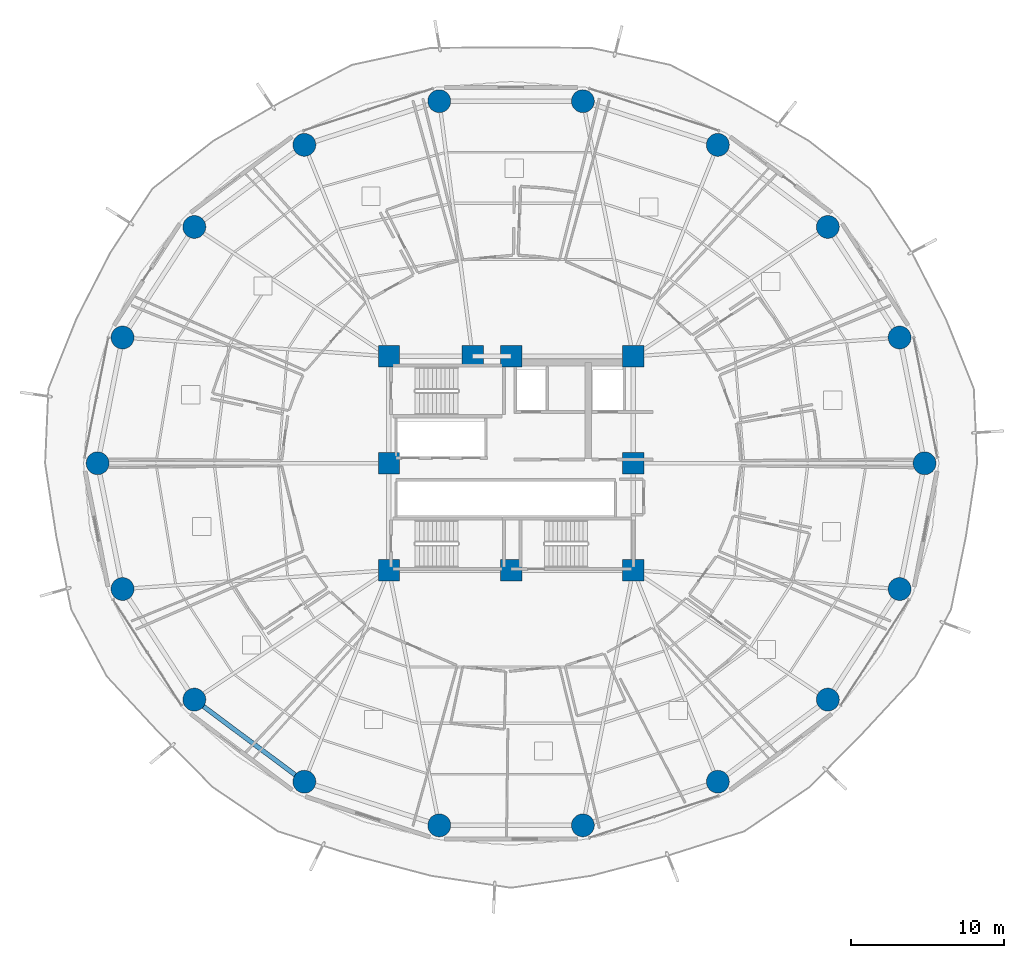
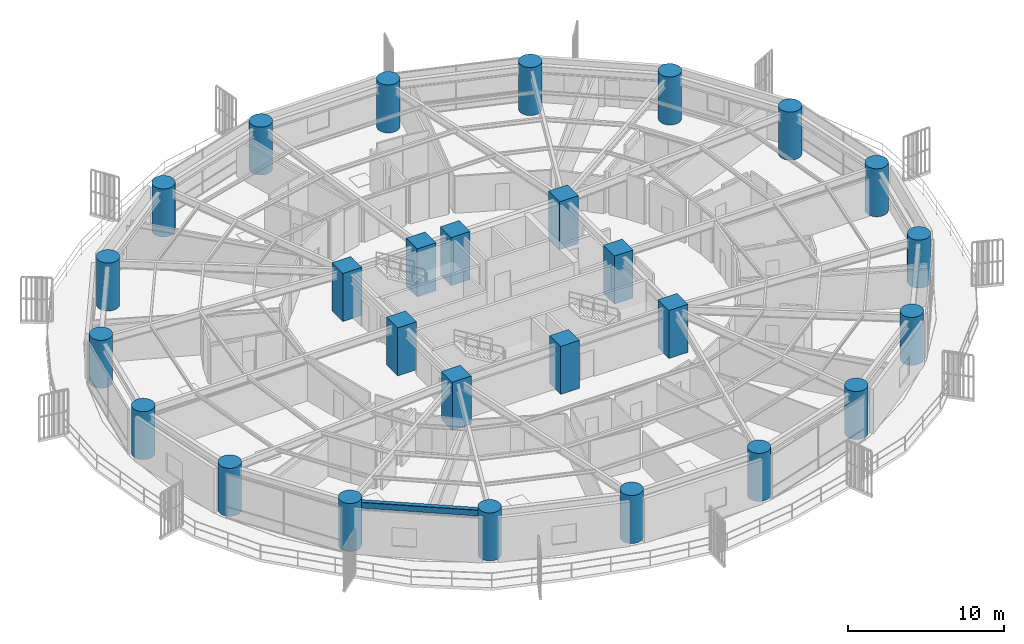
# One storey, part 1 of 33: 27 columns, 1 beam.
"""IFC4 building model written with IfcOpenShell, lengths in metres."""

from ifc_helpers import new_model, si_unit, direction, frame, origin, origin_2d, place, context, subcontext, project, spatial, rectangle, circle, i_section, extrude, material, material_profile, profile_set, type_object, element, save


model = new_model("IFC4")

# Units and contexts
model_context = context("Model", 3, precision=1e-05, world=origin(), true_north=direction((0.0, 1.0)))
body_context = subcontext(model_context, "Body", "Model", "MODEL_VIEW")
ifc_project = project(units=[si_unit("LENGTHUNIT", "METRE"), si_unit("AREAUNIT", "SQUARE_METRE"), si_unit("VOLUMEUNIT", "CUBIC_METRE"), si_unit("PLANEANGLEUNIT", "RADIAN"), si_unit("MASSUNIT", "GRAM", prefix="KILO")], contexts=[model_context])

# Site, building, storey
site_placement = place(None, origin())
site = spatial("IfcSite", under=ifc_project, at=site_placement, CompositionType="ELEMENT")
building_placement = place(site_placement, origin())
building = spatial("IfcBuilding", under=site, at=building_placement, Name="Kelanora Arch Commons", CompositionType="ELEMENT")
storey_placement = place(building_placement, frame((0.0, 0.0, 26.25)))
storey = spatial("IfcBuildingStorey", under=building, at=storey_placement, Name="L06", CompositionType="ELEMENT", Elevation=26.25)

# Columns
ifc_material_1 = material(Name="Concrete C60/75", Category="concrete")
ifc_material_profile_1 = material_profile(ifc_material_1, circle(Radius=0.75, at=origin_2d()), Name="RCC1500")
ifc_profile_set_1 = profile_set([ifc_material_profile_1], Name="Concrete C60/75")
column_type_1 = type_object("IfcColumnType", Name="COL-PERIM-Z1", PredefinedType="COLUMN", material=ifc_profile_set_1)
for number, where, z_axis, x_axis, name in (
    (1, (101.080078125, 58.0, 0.0), (0.0, 0.0, 1.0), (1.0, 0.0, 0.0), "Perimeter Ring Column CP-00 L06"),
    (2, (99.447021484375, 66.23583984375, 0.0), (0.0, 0.0, 1.0), (1.0, 0.0, 0.0), "Perimeter Ring Column CP-02 L06"),
    (3, (94.744384765625, 73.478271484375, 0.0), (0.0, 0.0, 1.0), (1.0, 0.0, 0.0), "Perimeter Ring Column CP-04 L06"),
    (4, (87.5400390625, 78.85400390625, 0.0), (0.0, 0.0, 1.0), (1.0, 0.0, 0.0), "Perimeter Ring Column CP-06 L06"),
    (5, (78.702392578125, 81.714111328125, 0.0), (0.0, 0.0, 1.0), (1.0, 0.0, 0.0), "Perimeter Ring Column CP-08 L06"),
    (6, (69.297607421875, 81.714111328125, 0.0), (0.0, 0.0, 1.0), (1.0, 0.0, 0.0), "Perimeter Ring Column CP-10 L06"),
    (7, (60.4599609375, 78.85400390625, 0.0), (0.0, 0.0, 1.0), (1.0, 0.0, 0.0), "Perimeter Ring Column CP-12 L06"),
    (8, (53.255615234375, 73.478271484375, 0.0), (0.0, 0.0, 1.0), (1.0, 0.0, 0.0), "Perimeter Ring Column CP-14 L06"),
    (9, (48.552978515625, 66.23583984375, 0.0), (0.0, 0.0, 1.0), (1.0, 0.0, 0.0), "Perimeter Ring Column CP-16 L06"),
    (10, (46.919921875, 58.0, 0.0), (0.0, 0.0, 1.0), (1.0, 0.0, 0.0), "Perimeter Ring Column CP-18 L06"),
    (11, (48.552978515625, 49.76416015625, 0.0), (0.0, 0.0, 1.0), (1.0, 0.0, 0.0), "Perimeter Ring Column CP-20 L06"),
    (12, (53.255615234375, 42.521728515625, 0.0), (0.0, 0.0, 1.0), (1.0, 0.0, 0.0), "Perimeter Ring Column CP-22 L06"),
    (13, (60.4599609375, 37.14599609375, 0.0), (0.0, 0.0, 1.0), (1.0, 0.0, 0.0), "Perimeter Ring Column CP-24 L06"),
    (14, (69.297607421875, 34.285888671875, 0.0), (0.0, 0.0, 1.0), (1.0, 0.0, 0.0), "Perimeter Ring Column CP-26 L06"),
    (15, (78.702392578125, 34.285888671875, 0.0), (0.0, 0.0, 1.0), (1.0, 0.0, 0.0), "Perimeter Ring Column CP-28 L06"),
    (16, (87.5400390625, 37.14599609375, 0.0), (0.0, 0.0, 1.0), (1.0, 0.0, 0.0), "Perimeter Ring Column CP-30 L06"),
    (17, (94.744384765625, 42.521728515625, 0.0), (0.0, 0.0, 1.0), (1.0, 0.0, 0.0), "Perimeter Ring Column CP-32 L06"),
    (18, (99.447021484375, 49.76416015625, 0.0), (0.0, 0.0, 1.0), (1.0, 0.0, 0.0), "Perimeter Ring Column CP-34 L06"),
):
    element("IfcColumn", number, at=place(storey_placement, frame(where, z_axis=z_axis, x_axis=x_axis)), inside=storey, type_object=column_type_1, Name=name, PredefinedType="COLUMN", context=body_context, shape_type="SweptSolid", body=[
        extrude(circle(Radius=0.75, at=origin_2d()), origin(), (0.0, 0.0, 1.0), 3.75),
    ])
ifc_material_profile_2 = material_profile(ifc_material_1, rectangle(XDim=1.39990234375, YDim=1.39990234375, at=origin_2d()), Name="RC1400x1400")
ifc_profile_set_2 = profile_set([ifc_material_profile_2], Name="Concrete C60/75")
column_type_2 = type_object("IfcColumnType", Name="COL-PIL-LOW", PredefinedType="PILASTER", material=ifc_profile_set_2)
for number, where, z_axis, x_axis, name in (
    (19, (66.0, 51.0, 0.0), (0.0, 0.0, 1.0), (1.0, 0.0, 0.0), "Core Pilaster Column CP1 L06"),
    (20, (74.0, 51.0, 0.0), (0.0, 0.0, 1.0), (1.0, 0.0, 0.0), "Core Pilaster Column CP2 L06"),
    (21, (82.0, 51.0, 0.0), (0.0, 0.0, 1.0), (1.0, 0.0, 0.0), "Core Pilaster Column CP3 L06"),
    (22, (82.0, 58.0, 0.0), (0.0, 0.0, 1.0), (1.0, 0.0, 0.0), "Core Pilaster Column CP4 L06"),
    (23, (82.0, 65.0, 0.0), (0.0, 0.0, 1.0), (1.0, 0.0, 0.0), "Core Pilaster Column CP5 L06"),
    (24, (74.0, 65.0, 0.0), (0.0, 0.0, 1.0), (1.0, 0.0, 0.0), "Core Pilaster Column CP6 L06"),
    (25, (71.47998046875, 65.0, 0.0), (0.0, 0.0, 1.0), (1.0, 0.0, 0.0), "Core Pilaster Column CP9 L06"),
    (26, (66.0, 65.0, 0.0), (0.0, 0.0, 1.0), (1.0, 0.0, 0.0), "Core Pilaster Column CP7 L06"),
    (27, (66.0, 58.0, 0.0), (0.0, 0.0, 1.0), (1.0, 0.0, 0.0), "Core Pilaster Column CP8 L06"),
):
    element("IfcColumn", number, at=place(storey_placement, frame(where, z_axis=z_axis, x_axis=x_axis)), inside=storey, type_object=column_type_2, Name=name, PredefinedType="PILASTER", context=body_context, shape_type="SweptSolid", body=[
        extrude(rectangle(XDim=1.39990234375, YDim=1.39990234375, at=origin_2d()), origin(), (0.0, 0.0, 1.0), 3.75),
    ])

# Beam
ifc_material_2 = material(Name="Steel S355", Category="steel")
ifc_material_profile_3 = material_profile(ifc_material_2, i_section(OverallWidth=0.300048828125, OverallDepth=0.60009765625, WebThickness=0.015380859375, FlangeThickness=0.030029296875, FilletRadius=0.027099609375, at=origin_2d()), Name="HEB600")
ifc_profile_set_3 = profile_set([ifc_material_profile_3], Name="Steel S355")
beam_type = type_object("IfcBeamType", Name="BM-SPN-Z1", PredefinedType="SPANDREL", material=ifc_profile_set_3)
beam_placement = place(storey_placement, frame((53.431884765625, 42.39013671875, 3.18994140625), z_axis=(0.801474585329, -0.598028836322, 0.0), x_axis=(0.598028836322, 0.801474585329, 0.0)))
element("IfcBeam", 28, at=beam_placement, inside=storey, type_object=beam_type, Name="Perimeter Spandrel Beam BS-22 L06", PredefinedType="SPANDREL", context=body_context, shape_type="SweptSolid", body=[
    extrude(i_section(OverallWidth=0.300048828125, OverallDepth=0.60009765625, WebThickness=0.015380859375, FlangeThickness=0.030029296875, FilletRadius=0.027099609375, at=origin_2d()), origin(), (0.0, 0.0, 1.0), 8.549072265625),
])

save(model, "model.ifc")
